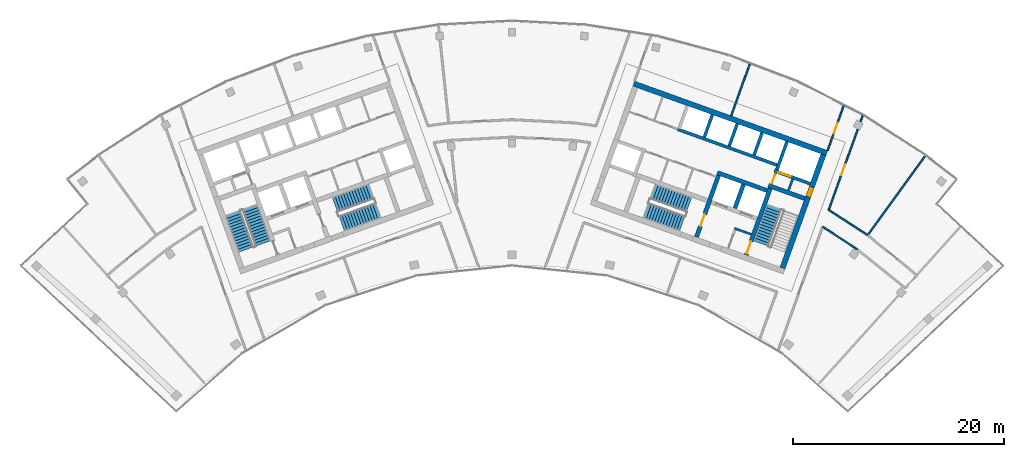
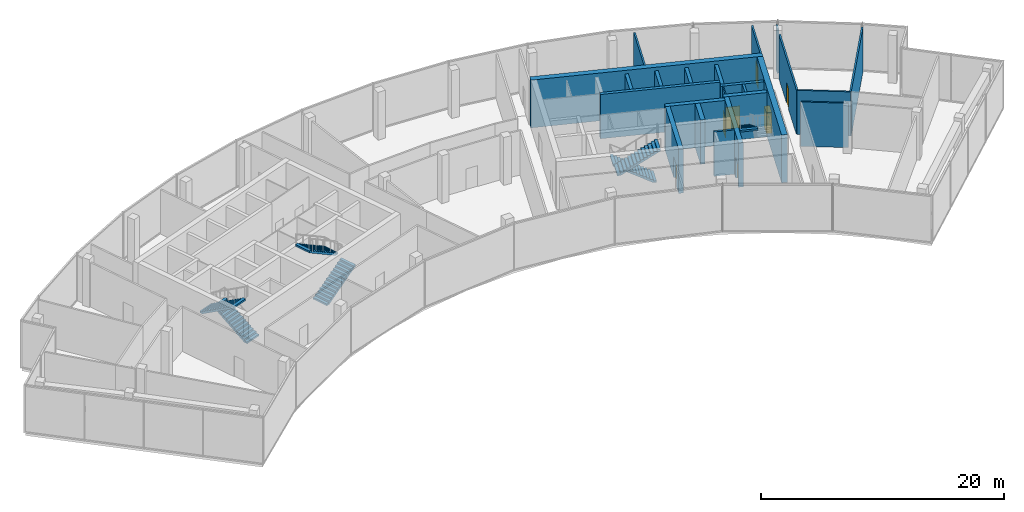
# One storey, part 15 of 17: 23 walls, 7 doors, 7 stair flights, 7 openings, 4 elements without a shape of their own.
"""IFC4 building model written with IfcOpenShell, lengths in metres."""

from ifc_helpers import new_model, si_unit, direction, frame, frame_2d, origin, place, context, subcontext, project, spatial, polyline, rectangle, outline, extrude, material, layer, layer_set, type_object, element, fill, aggregate, save


model = new_model("IFC4")

# Units and contexts
model_context = context("Model", 3, precision=1e-05, world=origin(), true_north=direction((0.0, 1.0)))
body_context = subcontext(model_context, "Body", "Model", "MODEL_VIEW")
ifc_project = project(units=[si_unit("LENGTHUNIT", "METRE"), si_unit("AREAUNIT", "SQUARE_METRE"), si_unit("VOLUMEUNIT", "CUBIC_METRE"), si_unit("PLANEANGLEUNIT", "RADIAN"), si_unit("MASSUNIT", "GRAM", prefix="KILO")], contexts=[model_context])

# Site, building, storey
site_placement = place(None, origin())
site = spatial("IfcSite", under=ifc_project, at=site_placement, CompositionType="ELEMENT")
building_placement = place(site_placement, origin())
building = spatial("IfcBuilding", under=site, at=building_placement, Name="Stone Belt Terrace Tower", CompositionType="ELEMENT")
storey_placement = place(building_placement, frame((0.0, 0.0, 313.39990234375)))
storey = spatial("IfcBuildingStorey", under=building, at=storey_placement, Name="L76", CompositionType="ELEMENT", Elevation=313.39990234375)

# Wall, opening, door
ifc_material_1 = material(Name="Plasterboard partition")
ifc_layer_1 = layer(ifc_material_1, 0.10009765625)
ifc_layer_set_1 = layer_set([ifc_layer_1], Name="Core partition 100")
wall_type_1 = type_object("IfcWallType", Name="Core partition 100", PredefinedType="PARTITIONING", material=ifc_layer_set_1)
wall_1_placement = place(storey_placement, frame((24.555908203125, 51.10400390625, 0.0), z_axis=(0.0, 0.0, 1.0), x_axis=(0.338621735342, 0.94092258999, 0.0)))
wall_1 = element("IfcWall", 1, at=wall_1_placement, inside=storey, type_object=wall_type_1, Name="Core B wall", PredefinedType="PARTITIONING", context=body_context, shape_type="SweptSolid", body=[
    extrude(rectangle(XDim=1.14990234375, YDim=0.10009765625, at=frame_2d((0.574951171875, 0.0))), origin(), (0.0, 0.0, 1.0), 4.4501953125),
])
opening_1_placement = place(wall_1_placement, frame((0.050048828125, 0.0, 0.0)))
opening_1 = element("IfcOpeningElement", 2, at=opening_1_placement, cuts=wall_1, Name="Opening L76-C21", PredefinedType="OPENING", context=body_context, shape_type="SweptSolid", body=[
    extrude(rectangle(XDim=1.0, YDim=2.10009765625, at=frame_2d((0.5, 1.050048828125))), frame((0.0, 0.06005859375, 0.0), z_axis=(0.0, -1.0, 0.0), x_axis=(1.0, 0.0, 0.0)), (0.0, 0.0, 1.0), 0.1201171875),
])
ifc_material_2 = material(Name="Timber door leaf", Category="wood")
door_type_1 = type_object("IfcDoorType", Name="Core room door 1000", OperationType="SINGLE_SWING_LEFT", PredefinedType="DOOR", material=ifc_material_2)
door_1_placement = place(opening_1_placement, origin())
door_1 = element("IfcDoor", 3, at=door_1_placement, inside=storey, type_object=door_type_1, Name="Service lift lobby door core B", OperationType="SINGLE_SWING_LEFT", OverallHeight=2.10009765625, OverallWidth=1.0, PredefinedType="DOOR", context=body_context, shape_type="SweptSolid", body=[
    extrude(rectangle(XDim=1.0, YDim=2.10009765625, at=frame_2d((0.5, 1.050048828125))), frame((0.0, 0.02490234375, 0.0), z_axis=(0.0, -1.0, 0.0), x_axis=(1.0, 0.0, 0.0)), (0.0, 0.0, 1.0), 0.050048828125),
])
fill(opening_1, door_1)

# Wall
ifc_material_3 = material(Name="Concrete B60", Category="concrete")
ifc_layer_2 = layer(ifc_material_3, 0.5)
ifc_layer_set_2 = layer_set([ifc_layer_2], Name="Core wall 500 B60")
wall_type_2 = type_object("IfcWallType", Name="Core wall 500 B60", PredefinedType="SHEAR", material=ifc_layer_set_2)
wall_2_placement = place(storey_placement, frame((11.51220703125, 60.6337890625, 0.0), z_axis=(0.0, 0.0, 1.0), x_axis=(0.940921417488, -0.338624993336, 0.0)))
element("IfcWall", 4, at=wall_2_placement, inside=storey, type_object=wall_type_2, Name="Core B wall convex L76", PredefinedType="SHEAR", context=body_context, shape_type="SweptSolid", body=[
    extrude(rectangle(XDim=19.400146484375, YDim=0.5, at=frame_2d((9.7001953125, 0.0))), origin(), (0.0, 0.0, 1.0), 4.800048828125),
])

# Wall, opening, door
wall_3_placement = place(storey_placement, frame((25.5859375, 43.1875, 0.0), z_axis=(0.0, 0.0, 1.0), x_axis=(0.338632255135, 0.940918804033, 0.0)))
wall_3 = element("IfcWall", 5, at=wall_3_placement, inside=storey, type_object=wall_type_2, Name="Core B wall end_b L76", PredefinedType="SHEAR", context=body_context, shape_type="SweptSolid", body=[
    extrude(rectangle(XDim=11.39990234375, YDim=0.5, at=frame_2d((5.699951171875, 0.0))), origin(), (0.0, 0.0, 1.0), 4.800048828125),
])
opening_2_placement = place(wall_3_placement, frame((7.150146484375, 0.0, 0.0)))
opening_2 = element("IfcOpeningElement", 6, at=opening_2_placement, cuts=wall_3, Name="Opening L76-C20", PredefinedType="OPENING", context=body_context, shape_type="SweptSolid", body=[
    extrude(rectangle(XDim=1.0, YDim=2.10009765625, at=frame_2d((0.5, 1.050048828125))), frame((0.0, 0.260009765625, 0.0), z_axis=(0.0, -1.0, 0.0), x_axis=(1.0, 0.0, 0.0)), (0.0, 0.0, 1.0), 0.52001953125),
])
door_2_placement = place(opening_2_placement, origin())
door_2 = element("IfcDoor", 7, at=door_2_placement, inside=storey, type_object=door_type_1, Name="Door to Plant riser room core B", OperationType="SINGLE_SWING_RIGHT", OverallHeight=2.10009765625, OverallWidth=1.0, PredefinedType="DOOR", context=body_context, shape_type="SweptSolid", body=[
    extrude(rectangle(XDim=1.0, YDim=2.10009765625, at=frame_2d((0.5, 1.050048828125))), frame((0.0, 0.22998046875, 0.0), z_axis=(0.0, -1.0, 0.0), x_axis=(1.0, 0.0, 0.0)), (0.0, 0.0, 1.0), 0.4599609375),
])
fill(opening_2, door_2)

# Walls
ifc_material_4 = material(Name="Concrete B80", Category="concrete")
ifc_layer_3 = layer(ifc_material_4, 0.39990234375)
ifc_layer_set_3 = layer_set([ifc_layer_3], Name="Fire-fighting lift shaft wall 400")
wall_type_3 = type_object("IfcWallType", Name="Fire-fighting lift shaft wall 400", PredefinedType="SHEAR", material=ifc_layer_set_3)
wall_4_placement = place(storey_placement, frame((24.130615234375, 50.512939453125, 0.0), z_axis=(0.0, 0.0, 1.0), x_axis=(-0.94091168377, 0.338652038744, 0.0)))
element("IfcWall", 8, at=wall_4_placement, inside=storey, type_object=wall_type_3, Name="Core B wall", PredefinedType="SHEAR", context=body_context, shape_type="SweptSolid", body=[
    extrude(rectangle(XDim=5.000244140625, YDim=0.39990234375, at=frame_2d((2.5, 0.0))), origin(), (0.0, 0.0, 1.0), 4.4501953125),
])
wall_5_placement = place(storey_placement, frame((21.0859375, 48.845458984375, 0.0), z_axis=(0.0, 0.0, 1.0), x_axis=(0.338629416206, 0.940919825745, 0.0)))
element("IfcWall", 9, at=wall_5_placement, inside=storey, type_object=wall_type_3, Name="Core B wall", PredefinedType="SHEAR", context=body_context, shape_type="SweptSolid", body=[
    extrude(rectangle(XDim=2.400146484375, YDim=0.39990234375, at=frame_2d((1.2001953125, 0.0))), origin(), (0.0, 0.0, 1.0), 4.4501953125),
])

# Wall, opening, door
ifc_layer_4 = layer(ifc_material_4, 0.300048828125)
ifc_layer_set_4 = layer_set([ifc_layer_4], Name="Lift shaft wall 300")
wall_type_4 = type_object("IfcWallType", Name="Lift shaft wall 300", PredefinedType="SHEAR", material=ifc_layer_set_4)
wall_6_placement = place(storey_placement, frame((28.195068359375, 51.17578125, 0.0), z_axis=(0.0, 0.0, 1.0), x_axis=(-0.940901243567, 0.338681044427, 0.0)))
wall_6 = element("IfcWall", 10, at=wall_6_placement, inside=storey, type_object=wall_type_4, Name="Core B wall", PredefinedType="SHEAR", context=body_context, shape_type="SweptSolid", body=[
    extrude(rectangle(XDim=3.599853515625, YDim=0.300048828125, at=frame_2d((1.7998046875, 0.0))), origin(), (0.0, 0.0, 1.0), 4.4501953125),
])
opening_3_placement = place(wall_6_placement, frame((1.969970703125, 0.0, 0.0)))
opening_3 = element("IfcOpeningElement", 11, at=opening_3_placement, cuts=wall_6, Name="Opening L76-LD06", PredefinedType="OPENING", context=body_context, shape_type="SweptSolid", body=[
    extrude(rectangle(XDim=1.199951171875, YDim=2.199951171875, at=frame_2d((0.60009765625, 1.10009765625))), frame((0.0, 0.159912109375, 0.0), z_axis=(0.0, -1.0, 0.0), x_axis=(1.0, 0.0, 0.0)), (0.0, 0.0, 1.0), 0.320068359375),
])
ifc_material_5 = material(Name="Stainless steel door leaf", Category="steel")
door_type_2 = type_object("IfcDoorType", Name="Landing door 1200", OperationType="SLIDING_TO_LEFT", PredefinedType="DOOR", material=ifc_material_5)
door_3_placement = place(opening_3_placement, origin())
door_3 = element("IfcDoor", 12, at=door_3_placement, inside=storey, type_object=door_type_2, Name="Landing door SV1 core B", OperationType="SLIDING_TO_LEFT", OverallHeight=2.199951171875, OverallWidth=1.199951171875, PredefinedType="DOOR", context=body_context, shape_type="SweptSolid", body=[
    extrude(rectangle(XDim=1.199951171875, YDim=2.199951171875, at=frame_2d((0.60009765625, 1.10009765625))), frame((0.0, 0.02490234375, 0.0), z_axis=(0.0, -1.0, 0.0), x_axis=(1.0, 0.0, 0.0)), (0.0, 0.0, 1.0), 0.050048828125),
])
fill(opening_3, door_3)

# Walls
wall_7_placement = place(storey_placement, frame((25.046875, 52.46826171875, 0.0), z_axis=(0.0, 0.0, 1.0), x_axis=(0.338549588058, 0.940948551423, 0.0)))
element("IfcWall", 13, at=wall_7_placement, inside=storey, type_object=wall_type_4, Name="Core B wall", PredefinedType="SHEAR", context=body_context, shape_type="SweptSolid", body=[
    extrude(rectangle(XDim=2.849853515625, YDim=0.300048828125, at=frame_2d((1.4248046875, 0.0))), origin(), (0.0, 0.0, 1.0), 4.4501953125),
])
wall_8_placement = place(storey_placement, frame((25.05810546875, 52.9423828125, 0.0), z_axis=(0.0, 0.0, 1.0), x_axis=(-0.940924441602, 0.338616590255, 0.0)))
element("IfcWall", 14, at=wall_8_placement, inside=storey, type_object=wall_type_4, Name="Core B wall", PredefinedType="SHEAR", context=body_context, shape_type="SweptSolid", body=[
    extrude(rectangle(XDim=10.000244140625, YDim=0.300048828125, at=frame_2d((5.0, 0.0))), origin(), (0.0, 0.0, 1.0), 4.4501953125),
])
wall_9_placement = place(storey_placement, frame((22.897705078125, 53.87939453125, 0.0), z_axis=(0.0, 0.0, 1.0), x_axis=(0.338535034312, 0.940953787677, 0.0)))
element("IfcWall", 15, at=wall_9_placement, inside=storey, type_object=wall_type_4, Name="Core B wall", PredefinedType="SHEAR", context=body_context, shape_type="SweptSolid", body=[
    extrude(rectangle(XDim=2.25, YDim=0.300048828125, at=frame_2d((1.125, 0.0))), origin(), (0.0, 0.0, 1.0), 4.4501953125),
])
wall_10_placement = place(storey_placement, frame((20.54541015625, 54.72607421875, 0.0), z_axis=(0.0, 0.0, 1.0), x_axis=(0.338569601369, 0.940941350472, 0.0)))
element("IfcWall", 16, at=wall_10_placement, inside=storey, type_object=wall_type_4, Name="Core B wall", PredefinedType="SHEAR", context=body_context, shape_type="SweptSolid", body=[
    extrude(rectangle(XDim=2.249755859375, YDim=0.300048828125, at=frame_2d((1.125, 0.0))), origin(), (0.0, 0.0, 1.0), 4.4501953125),
])
wall_11_placement = place(storey_placement, frame((18.193115234375, 55.572509765625, 0.0), z_axis=(0.0, 0.0, 1.0), x_axis=(0.338535034312, 0.940953787677, 0.0)))
element("IfcWall", 17, at=wall_11_placement, inside=storey, type_object=wall_type_4, Name="Core B wall", PredefinedType="SHEAR", context=body_context, shape_type="SweptSolid", body=[
    extrude(rectangle(XDim=2.25, YDim=0.300048828125, at=frame_2d((1.125, 0.0))), origin(), (0.0, 0.0, 1.0), 4.4501953125),
])

# Wall, opening, door
ifc_material_6 = material(Name="Gypsum board partition")
ifc_layer_5 = layer(ifc_material_6, 0.14990234375)
ifc_layer_set_5 = layer_set([ifc_layer_5], Name="PARTITION 150 EI 60")
wall_type_5 = type_object("IfcWallType", Name="PARTITION 150 EI 60", PredefinedType="PARTITIONING", material=ifc_layer_set_5)
wall_12_placement = place(storey_placement, frame((29.85107421875, 54.300048828125, 0.0), z_axis=(0.0, 0.0, 1.0), x_axis=(0.338516288838, 0.940960531686, 0.0)))
wall_12 = element("IfcWall", 18, at=wall_12_placement, inside=storey, type_object=wall_type_5, Name="L76/wall/i020", PredefinedType="PARTITIONING", context=body_context, shape_type="SweptSolid", body=[
    extrude(rectangle(XDim=4.510498046875, YDim=0.14990234375, at=frame_2d((2.25537109375, 0.0))), origin(), (0.0, 0.0, 1.0), 4.4501953125),
])
opening_4_placement = place(wall_12_placement, frame((1.705078125, 0.0, 0.0)))
opening_4 = element("IfcOpeningElement", 19, at=opening_4_placement, cuts=wall_12, Name="Opening D-C76-08", PredefinedType="OPENING", context=body_context, shape_type="SweptSolid", body=[
    extrude(rectangle(XDim=1.10009765625, YDim=2.10009765625, at=frame_2d((0.550048828125, 1.050048828125))), frame((0.0, 0.0849609375, 0.0), z_axis=(0.0, -1.0, 0.0), x_axis=(1.0, 0.0, 0.0)), (0.0, 0.0, 1.0), 0.169921875),
])
ifc_material_7 = material(Name="Steel fire door set", Category="steel")
door_type_3 = type_object("IfcDoorType", Name="SERVICE ROOM DOOR 1100 X 2100", OperationType="NOTDEFINED", PredefinedType="DOOR", material=ifc_material_7)
door_4_placement = place(opening_4_placement, origin())
door_4 = element("IfcDoor", 20, at=door_4_placement, inside=storey, type_object=door_type_3, Name="L76/door/i08", OperationType="SINGLE_SWING_RIGHT", OverallHeight=2.10009765625, OverallWidth=1.10009765625, PredefinedType="DOOR", context=body_context, shape_type="SweptSolid", body=[
    extrude(rectangle(XDim=1.10009765625, YDim=2.10009765625, at=frame_2d((0.550048828125, 1.050048828125))), frame((0.0, 0.02490234375, 0.0), z_axis=(0.0, -1.0, 0.0), x_axis=(1.0, 0.0, 0.0)), (0.0, 0.0, 1.0), 0.050048828125),
])
fill(opening_4, door_4)

# Wall
wall_13_placement = place(storey_placement, frame((33.173828125, 57.628173828125, 0.0), z_axis=(0.0, 0.0, 1.0), x_axis=(-0.33837942702, -0.941009757319, 0.0)))
element("IfcWall", 21, at=wall_13_placement, inside=storey, type_object=wall_type_5, Name="L76/wall/i022", PredefinedType="PARTITIONING", context=body_context, shape_type="SweptSolid", body=[
    extrude(rectangle(XDim=0.6357421875, YDim=0.14990234375, at=frame_2d((0.31787109375, 0.0))), origin(), (0.0, 0.0, 1.0), 4.4501953125),
])

# Wall, opening, door
wall_14_placement = place(storey_placement, frame((32.697265625, 56.303466796875, 0.0), z_axis=(0.0, 0.0, 1.0), x_axis=(-0.33861488448, -0.940925055468, 0.0)))
wall_14 = element("IfcWall", 22, at=wall_14_placement, inside=storey, type_object=wall_type_5, Name="L76/wall/i023", PredefinedType="PARTITIONING", context=body_context, shape_type="SweptSolid", body=[
    extrude(rectangle(XDim=8.10107421875, YDim=0.14990234375, at=frame_2d((4.050537109375, 0.0))), origin(), (0.0, 0.0, 1.0), 4.4501953125),
])
opening_5_placement = place(wall_14_placement, frame((3.50048828125, 0.0, 0.0)))
opening_5 = element("IfcOpeningElement", 23, at=opening_5_placement, cuts=wall_14, Name="Opening D-C76-15", PredefinedType="OPENING", context=body_context, shape_type="SweptSolid", body=[
    extrude(rectangle(XDim=1.10009765625, YDim=2.10009765625, at=frame_2d((0.550048828125, 1.050048828125))), frame((0.0, 0.0849609375, 0.0), z_axis=(0.0, -1.0, 0.0), x_axis=(1.0, 0.0, 0.0)), (0.0, 0.0, 1.0), 0.169921875),
])
door_5_placement = place(opening_5_placement, origin())
door_5 = element("IfcDoor", 24, at=door_5_placement, inside=storey, type_object=door_type_3, Name="L76/door/i15", OperationType="SINGLE_SWING_RIGHT", OverallHeight=2.10009765625, OverallWidth=1.10009765625, PredefinedType="DOOR", context=body_context, shape_type="SweptSolid", body=[
    extrude(rectangle(XDim=1.10009765625, YDim=2.10009765625, at=frame_2d((0.550048828125, 1.050048828125))), frame((0.0, 0.02490234375, 0.0), z_axis=(0.0, -1.0, 0.0), x_axis=(1.0, 0.0, 0.0)), (0.0, 0.0, 1.0), 0.050048828125),
])
fill(opening_5, door_5)

# Walls
wall_15_placement = place(storey_placement, frame((22.492919921875, 62.4990234375, 0.0), z_axis=(0.0, 0.0, 1.0), x_axis=(-0.338615199904, -0.940924941956, 0.0)))
element("IfcWall", 25, at=wall_15_placement, inside=storey, type_object=wall_type_5, Name="L76/wall/i027", PredefinedType="PARTITIONING", context=body_context, shape_type="SweptSolid", body=[
    extrude(rectangle(XDim=5.2236328125, YDim=0.14990234375, at=frame_2d((2.61181640625, 0.0))), origin(), (0.0, 0.0, 1.0), 4.4501953125),
])
wall_16_placement = place(storey_placement, frame((32.666015625, 44.9609375, 0.0), z_axis=(0.0, 0.0, 1.0), x_axis=(-0.838732696811, 0.544543353003, 0.0)))
element("IfcWall", 26, at=wall_16_placement, inside=storey, type_object=wall_type_5, Name="L76/wall/i040", PredefinedType="PARTITIONING", context=body_context, shape_type="SweptSolid", body=[
    extrude(rectangle(XDim=3.915283203125, YDim=0.14990234375, at=frame_2d((1.95751953125, 0.0))), origin(), (0.0, 0.0, 1.0), 4.4501953125),
])
wall_17_placement = place(storey_placement, frame((29.9560546875, 48.68603515625, 0.0), z_axis=(0.0, 0.0, 1.0), x_axis=(0.838632969858, -0.544696926618, 0.0)))
element("IfcWall", 27, at=wall_17_placement, inside=storey, type_object=wall_type_5, Name="L76/wall/i041", PredefinedType="PARTITIONING", context=body_context, shape_type="SweptSolid", body=[
    extrude(rectangle(XDim=4.387939453125, YDim=0.14990234375, at=frame_2d((2.19384765625, 0.0))), origin(), (0.0, 0.0, 1.0), 4.4501953125),
])
wall_18_placement = place(storey_placement, frame((39.087890625, 53.7998046875, 0.0), z_axis=(0.0, 0.0, 1.0), x_axis=(-0.587785060363, -0.80901713382, 0.0)))
element("IfcWall", 28, at=wall_18_placement, inside=storey, type_object=wall_type_5, Name="L76/wall/i043", PredefinedType="PARTITIONING", context=body_context, shape_type="SweptSolid", body=[
    extrude(rectangle(XDim=9.275390625, YDim=0.14990234375, at=frame_2d((4.6376953125, 0.0))), origin(), (0.0, 0.0, 1.0), 4.4501953125),
])
ifc_material_8 = material(Name="Concrete masonry block", Category="masonry")
ifc_layer_6 = layer(ifc_material_8, 0.199951171875)
ifc_layer_set_6 = layer_set([ifc_layer_6], Name="Rated lobby wall 200")
wall_type_6 = type_object("IfcWallType", Name="Rated lobby wall 200", PredefinedType="PARTITIONING", material=ifc_layer_set_6)
wall_19_placement = place(storey_placement, frame((26.1552734375, 50.5283203125, 0.0), z_axis=(0.0, 0.0, 1.0), x_axis=(0.338621735342, 0.94092258999, 0.0)))
element("IfcWall", 29, at=wall_19_placement, inside=storey, type_object=wall_type_6, Name="Core B wall", PredefinedType="PARTITIONING", context=body_context, shape_type="SweptSolid", body=[
    extrude(rectangle(XDim=1.14990234375, YDim=0.199951171875, at=frame_2d((0.574951171875, 0.0))), origin(), (0.0, 0.0, 1.0), 4.4501953125),
])
wall_20_placement = place(storey_placement, frame((22.640625, 46.373046875, 0.0), z_axis=(0.0, 0.0, 1.0), x_axis=(-0.940966110313, 0.338500781747, 0.0)))
element("IfcWall", 30, at=wall_20_placement, inside=storey, type_object=wall_type_6, Name="Core B wall", PredefinedType="PARTITIONING", context=body_context, shape_type="SweptSolid", body=[
    extrude(rectangle(XDim=1.699951171875, YDim=0.199951171875, at=frame_2d((0.85009765625, 0.0))), origin(), (0.0, 0.0, 1.0), 4.4501953125),
])
ifc_layer_7 = layer(ifc_material_4, 0.39990234375)
ifc_layer_set_7 = layer_set([ifc_layer_7], Name="Stair enclosure wall 400")
wall_type_7 = type_object("IfcWallType", Name="Stair enclosure wall 400", PredefinedType="SHEAR", material=ifc_layer_set_7)
wall_21_placement = place(storey_placement, frame((27.687255859375, 49.764404296875, 0.0), z_axis=(0.0, 0.0, 1.0), x_axis=(-0.940918954884, 0.338631835981, 0.0)))
element("IfcWall", 31, at=wall_21_placement, inside=storey, type_object=wall_type_7, Name="Core B wall", PredefinedType="SHEAR", context=body_context, shape_type="SweptSolid", body=[
    extrude(rectangle(XDim=3.650146484375, YDim=0.39990234375, at=frame_2d((1.8251953125, 0.0))), origin(), (0.0, 0.0, 1.0), 4.4501953125),
])

# Wall, opening, door
wall_22_placement = place(storey_placement, frame((22.151611328125, 44.42333984375, 0.0), z_axis=(0.0, 0.0, 1.0), x_axis=(0.338625272931, 0.940921316866, 0.0)))
wall_22 = element("IfcWall", 32, at=wall_22_placement, inside=storey, type_object=wall_type_7, Name="Core B wall", PredefinedType="SHEAR", context=body_context, shape_type="SweptSolid", body=[
    extrude(rectangle(XDim=6.699951171875, YDim=0.39990234375, at=frame_2d((3.35009765625, 0.0))), origin(), (0.0, 0.0, 1.0), 4.4501953125),
])
opening_6_placement = place(wall_22_placement, frame((0.14990234375, 0.0, 0.0)))
opening_6 = element("IfcOpeningElement", 33, at=opening_6_placement, cuts=wall_22, Name="Opening L76-C23", PredefinedType="OPENING", context=body_context, shape_type="SweptSolid", body=[
    extrude(rectangle(XDim=1.199951171875, YDim=2.10009765625, at=frame_2d((0.60009765625, 1.050048828125))), frame((0.0, 0.2099609375, 0.0), z_axis=(0.0, -1.0, 0.0), x_axis=(1.0, 0.0, 0.0)), (0.0, 0.0, 1.0), 0.419921875),
])
ifc_material_9 = material(Name="Steel door leaf", Category="steel")
door_type_4 = type_object("IfcDoorType", Name="Stair door 1200", OperationType="SINGLE_SWING_LEFT", PredefinedType="DOOR", material=ifc_material_9)
door_6_placement = place(opening_6_placement, origin())
door_6 = element("IfcDoor", 34, at=door_6_placement, inside=storey, type_object=door_type_4, Name="Stair 1 door core B", OperationType="SINGLE_SWING_LEFT", OverallHeight=2.10009765625, OverallWidth=1.199951171875, PredefinedType="DOOR", context=body_context, shape_type="SweptSolid", body=[
    extrude(rectangle(XDim=1.199951171875, YDim=2.10009765625, at=frame_2d((0.60009765625, 1.050048828125))), frame((0.0, 0.02490234375, 0.0), z_axis=(0.0, -1.0, 0.0), x_axis=(1.0, 0.0, 0.0)), (0.0, 0.0, 1.0), 0.050048828125),
])
fill(opening_6, door_6)

wall_23_placement = place(storey_placement, frame((17.447021484375, 46.116455078125, 0.0), z_axis=(0.0, 0.0, 1.0), x_axis=(0.33860791464, 0.940927563707, 0.0)))
wall_23 = element("IfcWall", 35, at=wall_23_placement, inside=storey, type_object=wall_type_7, Name="Core B wall", PredefinedType="SHEAR", context=body_context, shape_type="SweptSolid", body=[
    extrude(rectangle(XDim=6.199951171875, YDim=0.39990234375, at=frame_2d((3.10009765625, 0.0))), origin(), (0.0, 0.0, 1.0), 4.4501953125),
])
opening_7_placement = place(wall_23_placement, frame((1.10009765625, 0.0, 0.0)))
opening_7 = element("IfcOpeningElement", 36, at=opening_7_placement, cuts=wall_23, Name="Opening L76-C26", PredefinedType="OPENING", context=body_context, shape_type="SweptSolid", body=[
    extrude(rectangle(XDim=1.199951171875, YDim=2.10009765625, at=frame_2d((0.60009765625, 1.050048828125))), frame((0.0, 0.2099609375, 0.0), z_axis=(0.0, -1.0, 0.0), x_axis=(1.0, 0.0, 0.0)), (0.0, 0.0, 1.0), 0.419921875),
])
door_7_placement = place(opening_7_placement, origin())
door_7 = element("IfcDoor", 37, at=door_7_placement, inside=storey, type_object=door_type_4, Name="Stair 2 door core B", OperationType="SINGLE_SWING_LEFT", OverallHeight=2.10009765625, OverallWidth=1.199951171875, PredefinedType="DOOR", context=body_context, shape_type="SweptSolid", body=[
    extrude(rectangle(XDim=1.199951171875, YDim=2.10009765625, at=frame_2d((0.60009765625, 1.050048828125))), frame((0.0, 0.02490234375, 0.0), z_axis=(0.0, -1.0, 0.0), x_axis=(1.0, 0.0, 0.0)), (0.0, 0.0, 1.0), 0.050048828125),
])
fill(opening_7, door_7)

# Stair, stair flights
ifc_material_10 = material(Name="Concrete B40", Category="concrete")
stair_type = type_object("IfcStairType", Name="Exit stair 1500", PredefinedType="HALF_TURN_STAIR", material=ifc_material_10)
stair_1_placement = place(storey_placement, origin())
stair_1 = element("IfcStair", 38, at=stair_1_placement, inside=storey, type_object=stair_type, Name="L76 Exit stair 1 core A", PredefinedType="HALF_TURN_STAIR")
stair_flight_type = type_object("IfcStairFlightType", Name="Stair flight 1500", PredefinedType="STRAIGHT", material=ifc_material_10)
stair_flight_1_placement = place(storey_placement, frame((-23.55322265625, 45.51318359375, 0.0), z_axis=(0.0, 0.0, 1.0), x_axis=(-0.338624396177, 0.940921632398, 0.0)))
stair_flight_1 = element("IfcStairFlight", 39, at=stair_flight_1_placement, type_object=stair_flight_type, Name="ST1A flight 1", NumberOfRisers=14, NumberOfTreads=13, PredefinedType="STRAIGHT", RiserHeight=0.171428571, TreadLength=0.28, context=body_context, shape_type="SweptSolid", body=[
    extrude(outline(polyline([(0.0, 0.0), (0.0, 0.17138671875), (0.280029296875, 0.17138671875), (0.280029296875, 0.3427734375), (0.56005859375, 0.3427734375), (0.56005859375, 0.514404296875), (0.840087890625, 0.514404296875), (0.840087890625, 0.685791015625), (1.1201171875, 0.685791015625), (1.1201171875, 0.857177734375), (1.39990234375, 0.857177734375), (1.39990234375, 1.028564453125), (1.679931640625, 1.028564453125), (1.679931640625, 1.199951171875), (1.9599609375, 1.199951171875), (1.9599609375, 1.371337890625), (2.239990234375, 1.371337890625), (2.239990234375, 1.54296875), (2.52001953125, 1.54296875), (2.52001953125, 1.71435546875), (2.800048828125, 1.71435546875), (2.800048828125, 1.8857421875), (3.080078125, 1.8857421875), (3.080078125, 2.05712890625), (3.360107421875, 2.05712890625), (3.360107421875, 2.228515625), (3.639892578125, 2.228515625), (3.639892578125, 2.39990234375), (3.639892578125, 2.052734375), (0.287109375, 0.0), (0.0, 0.0)])), frame((0.0, 0.75, 0.0), z_axis=(0.0, -1.0, 0.0), x_axis=(1.0, 0.0, 0.0)), (0.0, 0.0, 1.0), 1.5),
])
stair_flight_2_placement = place(storey_placement, frame((-26.385498046875, 48.3623046875, 2.400146484375), z_axis=(0.0, 0.0, 1.0), x_axis=(0.338624396177, -0.940921632398, 0.0)))
stair_flight_2 = element("IfcStairFlight", 40, at=stair_flight_2_placement, type_object=stair_flight_type, Name="ST1A flight 2", NumberOfRisers=14, NumberOfTreads=13, PredefinedType="STRAIGHT", RiserHeight=0.171428571, TreadLength=0.28, context=body_context, shape_type="SweptSolid", body=[
    extrude(outline(polyline([(0.0, 0.0), (0.0, 0.17138671875), (0.280029296875, 0.17138671875), (0.280029296875, 0.3427734375), (0.56005859375, 0.3427734375), (0.56005859375, 0.514404296875), (0.840087890625, 0.514404296875), (0.840087890625, 0.685791015625), (1.1201171875, 0.685791015625), (1.1201171875, 0.857177734375), (1.39990234375, 0.857177734375), (1.39990234375, 1.028564453125), (1.679931640625, 1.028564453125), (1.679931640625, 1.199951171875), (1.9599609375, 1.199951171875), (1.9599609375, 1.371337890625), (2.239990234375, 1.371337890625), (2.239990234375, 1.54296875), (2.52001953125, 1.54296875), (2.52001953125, 1.71435546875), (2.800048828125, 1.71435546875), (2.800048828125, 1.8857421875), (3.080078125, 1.8857421875), (3.080078125, 2.05712890625), (3.360107421875, 2.05712890625), (3.360107421875, 2.228515625), (3.639892578125, 2.228515625), (3.639892578125, 2.39990234375), (3.639892578125, 2.052734375), (0.287109375, 0.0), (0.0, 0.0)])), frame((0.0, 0.75, 0.0), z_axis=(0.0, -1.0, 0.0), x_axis=(1.0, 0.0, 0.0)), (0.0, 0.0, 1.0), 1.5),
])
aggregate(stair_1, [stair_flight_1, stair_flight_2])

stair_2_placement = place(storey_placement, origin())
stair_2 = element("IfcStair", 41, at=stair_2_placement, inside=storey, type_object=stair_type, Name="L76 Exit stair 2 core A", PredefinedType="HALF_TURN_STAIR")
stair_flight_3_placement = place(storey_placement, frame((-16.101318359375, 47.39794921875, 0.0), z_axis=(0.0, 0.0, 1.0), x_axis=(0.940921632398, 0.338624396177, 0.0)))
stair_flight_3 = element("IfcStairFlight", 42, at=stair_flight_3_placement, type_object=stair_flight_type, Name="ST2A flight 1", NumberOfRisers=14, NumberOfTreads=13, PredefinedType="STRAIGHT", RiserHeight=0.171428571, TreadLength=0.28, context=body_context, shape_type="SweptSolid", body=[
    extrude(outline(polyline([(0.0, 0.0), (0.0, 0.17138671875), (0.280029296875, 0.17138671875), (0.280029296875, 0.3427734375), (0.56005859375, 0.3427734375), (0.56005859375, 0.514404296875), (0.840087890625, 0.514404296875), (0.840087890625, 0.685791015625), (1.1201171875, 0.685791015625), (1.1201171875, 0.857177734375), (1.39990234375, 0.857177734375), (1.39990234375, 1.028564453125), (1.679931640625, 1.028564453125), (1.679931640625, 1.199951171875), (1.9599609375, 1.199951171875), (1.9599609375, 1.371337890625), (2.239990234375, 1.371337890625), (2.239990234375, 1.54296875), (2.52001953125, 1.54296875), (2.52001953125, 1.71435546875), (2.800048828125, 1.71435546875), (2.800048828125, 1.8857421875), (3.080078125, 1.8857421875), (3.080078125, 2.05712890625), (3.360107421875, 2.05712890625), (3.360107421875, 2.228515625), (3.639892578125, 2.228515625), (3.639892578125, 2.39990234375), (3.639892578125, 2.052734375), (0.287109375, 0.0), (0.0, 0.0)])), frame((0.0, 0.75, 0.0), z_axis=(0.0, -1.0, 0.0), x_axis=(1.0, 0.0, 0.0)), (0.0, 0.0, 1.0), 1.5),
])
stair_flight_4_placement = place(storey_placement, frame((-13.31982421875, 50.418212890625, 2.400146484375), z_axis=(0.0, 0.0, 1.0), x_axis=(-0.940921632398, -0.338624396177, 0.0)))
stair_flight_4 = element("IfcStairFlight", 43, at=stair_flight_4_placement, type_object=stair_flight_type, Name="ST2A flight 2", NumberOfRisers=14, NumberOfTreads=13, PredefinedType="STRAIGHT", RiserHeight=0.171428571, TreadLength=0.28, context=body_context, shape_type="SweptSolid", body=[
    extrude(outline(polyline([(0.0, 0.0), (0.0, 0.17138671875), (0.280029296875, 0.17138671875), (0.280029296875, 0.3427734375), (0.56005859375, 0.3427734375), (0.56005859375, 0.514404296875), (0.840087890625, 0.514404296875), (0.840087890625, 0.685791015625), (1.1201171875, 0.685791015625), (1.1201171875, 0.857177734375), (1.39990234375, 0.857177734375), (1.39990234375, 1.028564453125), (1.679931640625, 1.028564453125), (1.679931640625, 1.199951171875), (1.9599609375, 1.199951171875), (1.9599609375, 1.371337890625), (2.239990234375, 1.371337890625), (2.239990234375, 1.54296875), (2.52001953125, 1.54296875), (2.52001953125, 1.71435546875), (2.800048828125, 1.71435546875), (2.800048828125, 1.8857421875), (3.080078125, 1.8857421875), (3.080078125, 2.05712890625), (3.360107421875, 2.05712890625), (3.360107421875, 2.228515625), (3.639892578125, 2.228515625), (3.639892578125, 2.39990234375), (3.639892578125, 2.052734375), (0.287109375, 0.0), (0.0, 0.0)])), frame((0.0, 0.75, 0.0), z_axis=(0.0, -1.0, 0.0), x_axis=(1.0, 0.0, 0.0)), (0.0, 0.0, 1.0), 1.5),
])
aggregate(stair_2, [stair_flight_3, stair_flight_4])

# Stair, stair flight
stair_3_placement = place(storey_placement, origin())
stair_3 = element("IfcStair", 44, at=stair_3_placement, inside=storey, type_object=stair_type, Name="L76 Exit stair 1 core B", PredefinedType="HALF_TURN_STAIR")
stair_flight_5_placement = place(storey_placement, frame((24.785888671875, 48.93798828125, 2.400146484375), z_axis=(0.0, 0.0, 1.0), x_axis=(-0.338624396177, -0.940921632398, 0.0)))
stair_flight_5 = element("IfcStairFlight", 45, at=stair_flight_5_placement, type_object=stair_flight_type, Name="ST1B flight 2", NumberOfRisers=14, NumberOfTreads=13, PredefinedType="STRAIGHT", RiserHeight=0.171428571, TreadLength=0.28, context=body_context, shape_type="SweptSolid", body=[
    extrude(outline(polyline([(0.0, 0.0), (0.0, 0.17138671875), (0.280029296875, 0.17138671875), (0.280029296875, 0.3427734375), (0.56005859375, 0.3427734375), (0.56005859375, 0.514404296875), (0.840087890625, 0.514404296875), (0.840087890625, 0.685791015625), (1.1201171875, 0.685791015625), (1.1201171875, 0.857177734375), (1.39990234375, 0.857177734375), (1.39990234375, 1.028564453125), (1.679931640625, 1.028564453125), (1.679931640625, 1.199951171875), (1.9599609375, 1.199951171875), (1.9599609375, 1.371337890625), (2.239990234375, 1.371337890625), (2.239990234375, 1.54296875), (2.52001953125, 1.54296875), (2.52001953125, 1.71435546875), (2.800048828125, 1.71435546875), (2.800048828125, 1.8857421875), (3.080078125, 1.8857421875), (3.080078125, 2.05712890625), (3.360107421875, 2.05712890625), (3.360107421875, 2.228515625), (3.639892578125, 2.228515625), (3.639892578125, 2.39990234375), (3.639892578125, 2.052734375), (0.287109375, 0.0), (0.0, 0.0)])), frame((0.0, 0.75, 0.0), z_axis=(0.0, -1.0, 0.0), x_axis=(1.0, 0.0, 0.0)), (0.0, 0.0, 1.0), 1.5),
])
aggregate(stair_3, [stair_flight_5])

# Stair, stair flights
stair_4_placement = place(storey_placement, origin())
stair_4 = element("IfcStair", 46, at=stair_4_placement, inside=storey, type_object=stair_type, Name="L76 Exit stair 2 core B", PredefinedType="HALF_TURN_STAIR")
stair_flight_6_placement = place(storey_placement, frame((16.74462890625, 49.185546875, 0.0), z_axis=(0.0, 0.0, 1.0), x_axis=(-0.940921632398, 0.338624396177, 0.0)))
stair_flight_6 = element("IfcStairFlight", 47, at=stair_flight_6_placement, type_object=stair_flight_type, Name="ST2B flight 1", NumberOfRisers=14, NumberOfTreads=13, PredefinedType="STRAIGHT", RiserHeight=0.171428571, TreadLength=0.28, context=body_context, shape_type="SweptSolid", body=[
    extrude(outline(polyline([(0.0, 0.0), (0.0, 0.17138671875), (0.280029296875, 0.17138671875), (0.280029296875, 0.3427734375), (0.56005859375, 0.3427734375), (0.56005859375, 0.514404296875), (0.840087890625, 0.514404296875), (0.840087890625, 0.685791015625), (1.1201171875, 0.685791015625), (1.1201171875, 0.857177734375), (1.39990234375, 0.857177734375), (1.39990234375, 1.028564453125), (1.679931640625, 1.028564453125), (1.679931640625, 1.199951171875), (1.9599609375, 1.199951171875), (1.9599609375, 1.371337890625), (2.239990234375, 1.371337890625), (2.239990234375, 1.54296875), (2.52001953125, 1.54296875), (2.52001953125, 1.71435546875), (2.800048828125, 1.71435546875), (2.800048828125, 1.8857421875), (3.080078125, 1.8857421875), (3.080078125, 2.05712890625), (3.360107421875, 2.05712890625), (3.360107421875, 2.228515625), (3.639892578125, 2.228515625), (3.639892578125, 2.39990234375), (3.639892578125, 2.052734375), (0.287109375, 0.0), (0.0, 0.0)])), frame((0.0, 0.75, 0.0), z_axis=(0.0, -1.0, 0.0), x_axis=(1.0, 0.0, 0.0)), (0.0, 0.0, 1.0), 1.5),
])
stair_flight_7_placement = place(storey_placement, frame((12.67626953125, 48.63037109375, 2.400146484375), z_axis=(0.0, 0.0, 1.0), x_axis=(0.940921632398, -0.338624396177, 0.0)))
stair_flight_7 = element("IfcStairFlight", 48, at=stair_flight_7_placement, type_object=stair_flight_type, Name="ST2B flight 2", NumberOfRisers=14, NumberOfTreads=13, PredefinedType="STRAIGHT", RiserHeight=0.171428571, TreadLength=0.28, context=body_context, shape_type="SweptSolid", body=[
    extrude(outline(polyline([(0.0, 0.0), (0.0, 0.17138671875), (0.280029296875, 0.17138671875), (0.280029296875, 0.3427734375), (0.56005859375, 0.3427734375), (0.56005859375, 0.514404296875), (0.840087890625, 0.514404296875), (0.840087890625, 0.685791015625), (1.1201171875, 0.685791015625), (1.1201171875, 0.857177734375), (1.39990234375, 0.857177734375), (1.39990234375, 1.028564453125), (1.679931640625, 1.028564453125), (1.679931640625, 1.199951171875), (1.9599609375, 1.199951171875), (1.9599609375, 1.371337890625), (2.239990234375, 1.371337890625), (2.239990234375, 1.54296875), (2.52001953125, 1.54296875), (2.52001953125, 1.71435546875), (2.800048828125, 1.71435546875), (2.800048828125, 1.8857421875), (3.080078125, 1.8857421875), (3.080078125, 2.05712890625), (3.360107421875, 2.05712890625), (3.360107421875, 2.228515625), (3.639892578125, 2.228515625), (3.639892578125, 2.39990234375), (3.639892578125, 2.052734375), (0.287109375, 0.0), (0.0, 0.0)])), frame((0.0, 0.75, 0.0), z_axis=(0.0, -1.0, 0.0), x_axis=(1.0, 0.0, 0.0)), (0.0, 0.0, 1.0), 1.5),
])
aggregate(stair_4, [stair_flight_6, stair_flight_7])

save(model, "model.ifc")
